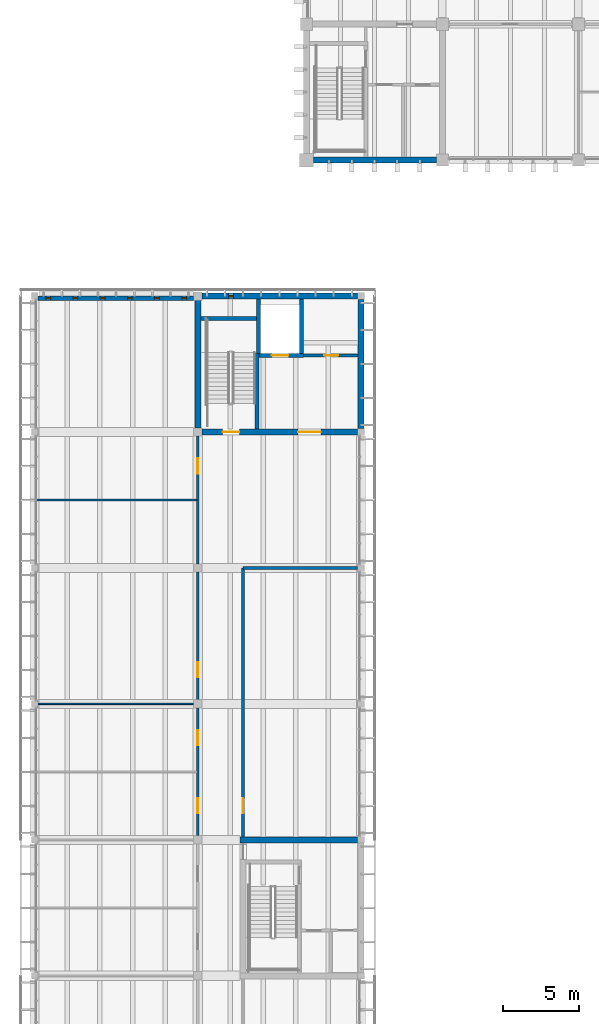
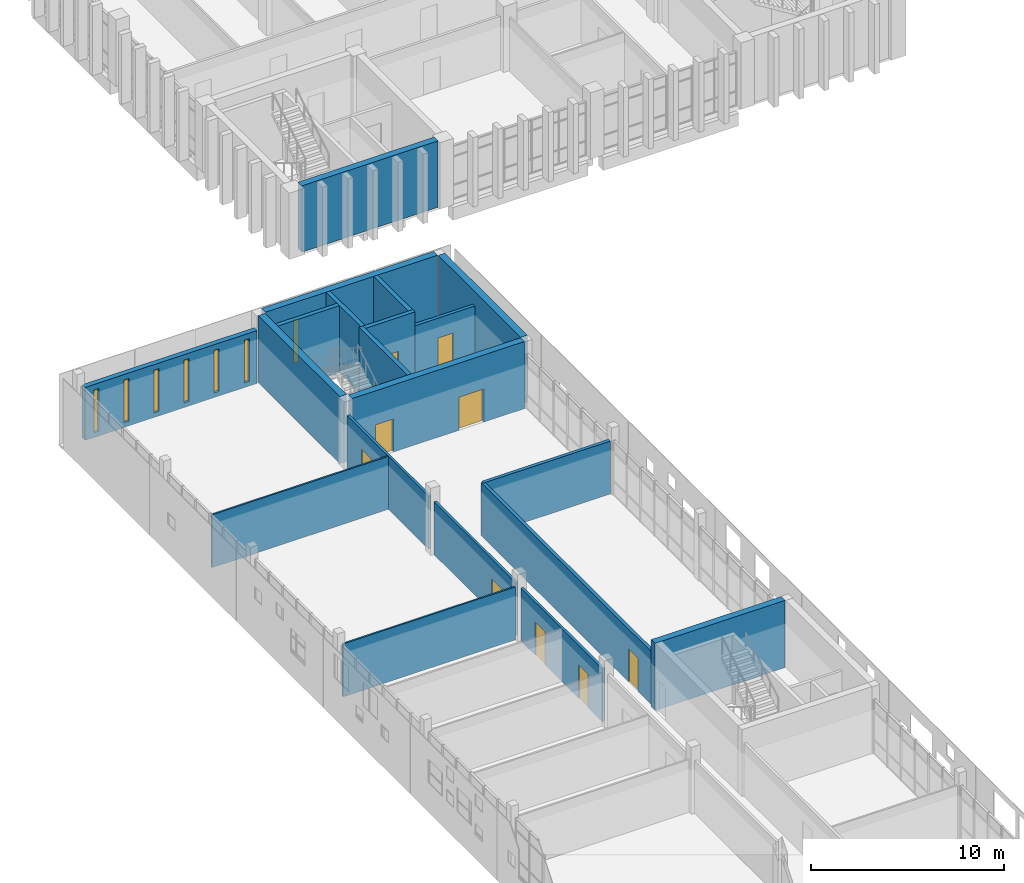
# One storey, part 33 of 50: 20 walls, 9 doors, 7 windows, 16 openings.
"""IFC4 building model written with IfcOpenShell, lengths in metres."""

from ifc_helpers import new_model, si_unit, direction, frame, frame_2d, origin, place, context, subcontext, project, spatial, rectangle, extrude, material, layer, layer_set, type_object, element, fill, save


model = new_model("IFC4")

# Units and contexts
model_context = context("Model", 3, precision=1e-05, world=origin(), true_north=direction((0.0, 1.0)))
body_context = subcontext(model_context, "Body", "Model", "MODEL_VIEW")
ifc_project = project(units=[si_unit("LENGTHUNIT", "METRE"), si_unit("AREAUNIT", "SQUARE_METRE"), si_unit("VOLUMEUNIT", "CUBIC_METRE"), si_unit("PLANEANGLEUNIT", "RADIAN"), si_unit("MASSUNIT", "GRAM", prefix="KILO")], contexts=[model_context])

# Site, building, storey
site_placement = place(None, origin())
site = spatial("IfcSite", under=ifc_project, at=site_placement, CompositionType="ELEMENT")
building_placement = place(site_placement, origin())
building = spatial("IfcBuilding", under=site, at=building_placement, Name="Merrow Basin Faculty of Sciences", CompositionType="ELEMENT")
storey_placement = place(building_placement, frame((0.0, 0.0, 18.0)))
storey = spatial("IfcBuildingStorey", under=building, at=storey_placement, Name="L04", CompositionType="ELEMENT", Elevation=18.0)

# Wall, openings, doors
ifc_material_1 = material(Name="Fire-rated gypsum board")
ifc_layer_1 = layer(ifc_material_1, 0.14990234375)
ifc_layer_set_1 = layer_set([ifc_layer_1], Name="Corridor partition 150 fire-rated board on steel studs")
wall_type_1 = type_object("IfcWallType", Name="Corridor partition 150 fire-rated board on steel studs", PredefinedType="PARTITIONING", material=ifc_layer_set_1)
wall_1_placement = place(storey_placement, frame((10.800048828125, 97.27490234375, 0.0), z_axis=(0.0, 0.0, 1.0), x_axis=(0.0, 1.0, 0.0)))
wall_1 = element("IfcWall", 1, at=wall_1_placement, inside=storey, type_object=wall_type_1, Name="IW151 L04 011", PredefinedType="PARTITIONING", context=body_context, shape_type="SweptSolid", body=[
    extrude(rectangle(XDim=8.4501953125, YDim=0.14990234375, at=frame_2d((4.22509765625, 0.0))), origin(), (0.0, 0.0, 1.0), 3.35009765625),
])
opening_1_placement = place(wall_1_placement, frame((1.47509765625, 0.0, 0.0)))
opening_1 = element("IfcOpeningElement", 2, at=opening_1_placement, cuts=wall_1, Name="Opening D04B018", PredefinedType="OPENING", context=body_context, shape_type="SweptSolid", body=[
    extrude(rectangle(XDim=1.0, YDim=2.10009765625, at=frame_2d((0.5, 1.050048828125))), frame((0.0, 0.0849609375, 0.0), z_axis=(0.0, -1.0, 0.0), x_axis=(1.0, 0.0, 0.0)), (0.0, 0.0, 1.0), 0.169921875),
])
opening_2_placement = place(wall_1_placement, frame((5.97509765625, 0.0, 0.0)))
opening_2 = element("IfcOpeningElement", 3, at=opening_2_placement, cuts=wall_1, Name="Opening D04B019", PredefinedType="OPENING", context=body_context, shape_type="SweptSolid", body=[
    extrude(rectangle(XDim=1.0, YDim=2.10009765625, at=frame_2d((0.5, 1.050048828125))), frame((0.0, 0.0849609375, 0.0), z_axis=(0.0, -1.0, 0.0), x_axis=(1.0, 0.0, 0.0)), (0.0, 0.0, 1.0), 0.169921875),
])
ifc_material_2 = material(Name="Timber door leaf", Category="wood")
door_type_1 = type_object("IfcDoorType", Name="Single swing door 1000 x 2100", OperationType="NOTDEFINED", PredefinedType="DOOR", material=ifc_material_2)
door_1_placement = place(opening_1_placement, origin())
door_1 = element("IfcDoor", 4, at=door_1_placement, inside=storey, type_object=door_type_1, Name="Door D04B018", OperationType="SINGLE_SWING_LEFT", OverallHeight=2.10009765625, OverallWidth=1.0, PredefinedType="DOOR", context=body_context, shape_type="SweptSolid", body=[
    extrude(rectangle(XDim=1.0, YDim=2.10009765625, at=frame_2d((0.5, 1.050048828125))), frame((0.0, 0.02490234375, 0.0), z_axis=(0.0, -1.0, 0.0), x_axis=(1.0, 0.0, 0.0)), (0.0, 0.0, 1.0), 0.050048828125),
])
fill(opening_1, door_1)
door_2_placement = place(opening_2_placement, origin())
door_2 = element("IfcDoor", 5, at=door_2_placement, inside=storey, type_object=door_type_1, Name="Door D04B019", OperationType="SINGLE_SWING_LEFT", OverallHeight=2.10009765625, OverallWidth=1.0, PredefinedType="DOOR", context=body_context, shape_type="SweptSolid", body=[
    extrude(rectangle(XDim=1.0, YDim=2.10009765625, at=frame_2d((0.5, 1.050048828125))), frame((0.0, 0.02490234375, 0.0), z_axis=(0.0, -1.0, 0.0), x_axis=(1.0, 0.0, 0.0)), (0.0, 0.0, 1.0), 0.050048828125),
])
fill(opening_2, door_2)

# Wall, opening, door
wall_2_placement = place(storey_placement, frame((10.800048828125, 106.27490234375, 0.0), z_axis=(0.0, 0.0, 1.0), x_axis=(0.0, 1.0, 0.0)))
wall_2 = element("IfcWall", 6, at=wall_2_placement, inside=storey, type_object=wall_type_1, Name="IW151 L04 012", PredefinedType="PARTITIONING", context=body_context, shape_type="SweptSolid", body=[
    extrude(rectangle(XDim=8.4501953125, YDim=0.14990234375, at=frame_2d((4.22509765625, 0.0))), origin(), (0.0, 0.0, 1.0), 3.35009765625),
])
opening_3_placement = place(wall_2_placement, frame((1.47509765625, 0.0, 0.0)))
opening_3 = element("IfcOpeningElement", 7, at=opening_3_placement, cuts=wall_2, Name="Opening D04B020", PredefinedType="OPENING", context=body_context, shape_type="SweptSolid", body=[
    extrude(rectangle(XDim=1.0, YDim=2.10009765625, at=frame_2d((0.5, 1.050048828125))), frame((0.0, 0.0849609375, 0.0), z_axis=(0.0, -1.0, 0.0), x_axis=(1.0, 0.0, 0.0)), (0.0, 0.0, 1.0), 0.169921875),
])
door_3_placement = place(opening_3_placement, origin())
door_3 = element("IfcDoor", 8, at=door_3_placement, inside=storey, type_object=door_type_1, Name="Door D04B020", OperationType="SINGLE_SWING_LEFT", OverallHeight=2.10009765625, OverallWidth=1.0, PredefinedType="DOOR", context=body_context, shape_type="SweptSolid", body=[
    extrude(rectangle(XDim=1.0, YDim=2.10009765625, at=frame_2d((0.5, 1.050048828125))), frame((0.0, 0.02490234375, 0.0), z_axis=(0.0, -1.0, 0.0), x_axis=(1.0, 0.0, 0.0)), (0.0, 0.0, 1.0), 0.050048828125),
])
fill(opening_3, door_3)

wall_3_placement = place(storey_placement, frame((10.800048828125, 115.27490234375, 0.0), z_axis=(0.0, 0.0, 1.0), x_axis=(0.0, 1.0, 0.0)))
wall_3 = element("IfcWall", 9, at=wall_3_placement, inside=storey, type_object=wall_type_1, Name="IW151 L04 013", PredefinedType="PARTITIONING", context=body_context, shape_type="SweptSolid", body=[
    extrude(rectangle(XDim=8.4501953125, YDim=0.14990234375, at=frame_2d((4.22509765625, 0.0))), origin(), (0.0, 0.0, 1.0), 3.35009765625),
])
opening_4_placement = place(wall_3_placement, frame((5.97509765625, 0.0, 0.0)))
opening_4 = element("IfcOpeningElement", 10, at=opening_4_placement, cuts=wall_3, Name="Opening D04B021", PredefinedType="OPENING", context=body_context, shape_type="SweptSolid", body=[
    extrude(rectangle(XDim=1.0, YDim=2.10009765625, at=frame_2d((0.5, 1.050048828125))), frame((0.0, 0.0849609375, 0.0), z_axis=(0.0, -1.0, 0.0), x_axis=(1.0, 0.0, 0.0)), (0.0, 0.0, 1.0), 0.169921875),
])
door_4_placement = place(opening_4_placement, origin())
door_4 = element("IfcDoor", 11, at=door_4_placement, inside=storey, type_object=door_type_1, Name="Door D04B021", OperationType="SINGLE_SWING_LEFT", OverallHeight=2.10009765625, OverallWidth=1.0, PredefinedType="DOOR", context=body_context, shape_type="SweptSolid", body=[
    extrude(rectangle(XDim=1.0, YDim=2.10009765625, at=frame_2d((0.5, 1.050048828125))), frame((0.0, 0.02490234375, 0.0), z_axis=(0.0, -1.0, 0.0), x_axis=(1.0, 0.0, 0.0)), (0.0, 0.0, 1.0), 0.050048828125),
])
fill(opening_4, door_4)

# Wall, openings, windows
ifc_material_3 = material(Name="Precast concrete C40/50", Category="concrete")
ifc_layer_2 = layer(ifc_material_3, 0.300048828125)
ifc_layer_set_2 = layer_set([ifc_layer_2], Name="End wall 300 Precast concrete C40/50")
wall_type_2 = type_object("IfcWallType", Name="End wall 300 Precast concrete C40/50", PredefinedType="STANDARD", material=ifc_layer_set_2)
wall_4_placement = place(storey_placement, frame((10.52490234375, 132.85009765625, 0.0), z_axis=(0.0, 0.0, 1.0), x_axis=(-1.0, 0.0, 0.0)))
wall_4 = element("IfcWall", 12, at=wall_4_placement, inside=storey, type_object=wall_type_2, Name="North end wall 1", PredefinedType="STANDARD", context=body_context, shape_type="SweptSolid", body=[
    extrude(rectangle(XDim=10.2998046875, YDim=0.300048828125, at=frame_2d((5.14990234375, 0.0))), origin(), (0.0, 0.0, 1.0), 3.35009765625),
])
opening_5_placement = place(wall_4_placement, frame((9.47509765625, 0.0, 0.300048828125)))
opening_5 = element("IfcOpeningElement", 13, at=opening_5_placement, cuts=wall_4, Name="Opening WN1", PredefinedType="OPENING", context=body_context, shape_type="SweptSolid", body=[
    extrude(rectangle(XDim=0.300048828125, YDim=2.699951171875, at=frame_2d((0.14990234375, 1.35009765625))), frame((0.0, 0.159912109375, 0.0), z_axis=(0.0, -1.0, 0.0), x_axis=(1.0, 0.0, 0.0)), (0.0, 0.0, 1.0), 0.320068359375),
])
opening_6_placement = place(wall_4_placement, frame((7.675048828125, 0.0, 0.300048828125)))
opening_6 = element("IfcOpeningElement", 14, at=opening_6_placement, cuts=wall_4, Name="Opening WN1", PredefinedType="OPENING", context=body_context, shape_type="SweptSolid", body=[
    extrude(rectangle(XDim=0.300048828125, YDim=2.699951171875, at=frame_2d((0.14990234375, 1.35009765625))), frame((0.0, 0.159912109375, 0.0), z_axis=(0.0, -1.0, 0.0), x_axis=(1.0, 0.0, 0.0)), (0.0, 0.0, 1.0), 0.320068359375),
])
opening_7_placement = place(wall_4_placement, frame((5.875, 0.0, 0.300048828125)))
opening_7 = element("IfcOpeningElement", 15, at=opening_7_placement, cuts=wall_4, Name="Opening WN1", PredefinedType="OPENING", context=body_context, shape_type="SweptSolid", body=[
    extrude(rectangle(XDim=0.300048828125, YDim=2.699951171875, at=frame_2d((0.14990234375, 1.35009765625))), frame((0.0, 0.159912109375, 0.0), z_axis=(0.0, -1.0, 0.0), x_axis=(1.0, 0.0, 0.0)), (0.0, 0.0, 1.0), 0.320068359375),
])
opening_8_placement = place(wall_4_placement, frame((4.074951171875, 0.0, 0.300048828125)))
opening_8 = element("IfcOpeningElement", 16, at=opening_8_placement, cuts=wall_4, Name="Opening WN1", PredefinedType="OPENING", context=body_context, shape_type="SweptSolid", body=[
    extrude(rectangle(XDim=0.300048828125, YDim=2.699951171875, at=frame_2d((0.14990234375, 1.35009765625))), frame((0.0, 0.159912109375, 0.0), z_axis=(0.0, -1.0, 0.0), x_axis=(1.0, 0.0, 0.0)), (0.0, 0.0, 1.0), 0.320068359375),
])
opening_9_placement = place(wall_4_placement, frame((2.27490234375, 0.0, 0.300048828125)))
opening_9 = element("IfcOpeningElement", 17, at=opening_9_placement, cuts=wall_4, Name="Opening WN1", PredefinedType="OPENING", context=body_context, shape_type="SweptSolid", body=[
    extrude(rectangle(XDim=0.300048828125, YDim=2.699951171875, at=frame_2d((0.14990234375, 1.35009765625))), frame((0.0, 0.159912109375, 0.0), z_axis=(0.0, -1.0, 0.0), x_axis=(1.0, 0.0, 0.0)), (0.0, 0.0, 1.0), 0.320068359375),
])
opening_10_placement = place(wall_4_placement, frame((0.47509765625, 0.0, 0.300048828125)))
opening_10 = element("IfcOpeningElement", 18, at=opening_10_placement, cuts=wall_4, Name="Opening WN1", PredefinedType="OPENING", context=body_context, shape_type="SweptSolid", body=[
    extrude(rectangle(XDim=0.300048828125, YDim=2.699951171875, at=frame_2d((0.14990234375, 1.35009765625))), frame((0.0, 0.159912109375, 0.0), z_axis=(0.0, -1.0, 0.0), x_axis=(1.0, 0.0, 0.0)), (0.0, 0.0, 1.0), 0.320068359375),
])
ifc_material_4 = material(Name="Low-E double glazing", Category="glass")
window_type = type_object("IfcWindowType", Name="Slot window 300 x 2700", PartitioningType="SINGLE_PANEL", PredefinedType="WINDOW", material=ifc_material_4)
window_1_placement = place(opening_5_placement, origin())
window_1 = element("IfcWindow", 19, at=window_1_placement, inside=storey, type_object=window_type, Name="North slot window L04", OverallHeight=2.699951171875, OverallWidth=0.300048828125, PartitioningType="SINGLE_PANEL", PredefinedType="WINDOW", context=body_context, shape_type="SweptSolid", body=[
    extrude(rectangle(XDim=0.300048828125, YDim=2.699951171875, at=frame_2d((0.14990234375, 1.35009765625))), frame((0.0, 0.030029296875, 0.0), z_axis=(0.0, -1.0, 0.0), x_axis=(1.0, 0.0, 0.0)), (0.0, 0.0, 1.0), 0.06005859375),
])
fill(opening_5, window_1)
window_2_placement = place(opening_6_placement, origin())
window_2 = element("IfcWindow", 20, at=window_2_placement, inside=storey, type_object=window_type, Name="North slot window L04", OverallHeight=2.699951171875, OverallWidth=0.300048828125, PartitioningType="SINGLE_PANEL", PredefinedType="WINDOW", context=body_context, shape_type="SweptSolid", body=[
    extrude(rectangle(XDim=0.300048828125, YDim=2.699951171875, at=frame_2d((0.14990234375, 1.35009765625))), frame((0.0, 0.030029296875, 0.0), z_axis=(0.0, -1.0, 0.0), x_axis=(1.0, 0.0, 0.0)), (0.0, 0.0, 1.0), 0.06005859375),
])
fill(opening_6, window_2)
window_3_placement = place(opening_7_placement, origin())
window_3 = element("IfcWindow", 21, at=window_3_placement, inside=storey, type_object=window_type, Name="North slot window L04", OverallHeight=2.699951171875, OverallWidth=0.300048828125, PartitioningType="SINGLE_PANEL", PredefinedType="WINDOW", context=body_context, shape_type="SweptSolid", body=[
    extrude(rectangle(XDim=0.300048828125, YDim=2.699951171875, at=frame_2d((0.14990234375, 1.35009765625))), frame((0.0, 0.030029296875, 0.0), z_axis=(0.0, -1.0, 0.0), x_axis=(1.0, 0.0, 0.0)), (0.0, 0.0, 1.0), 0.06005859375),
])
fill(opening_7, window_3)
window_4_placement = place(opening_8_placement, origin())
window_4 = element("IfcWindow", 22, at=window_4_placement, inside=storey, type_object=window_type, Name="North slot window L04", OverallHeight=2.699951171875, OverallWidth=0.300048828125, PartitioningType="SINGLE_PANEL", PredefinedType="WINDOW", context=body_context, shape_type="SweptSolid", body=[
    extrude(rectangle(XDim=0.300048828125, YDim=2.699951171875, at=frame_2d((0.14990234375, 1.35009765625))), frame((0.0, 0.030029296875, 0.0), z_axis=(0.0, -1.0, 0.0), x_axis=(1.0, 0.0, 0.0)), (0.0, 0.0, 1.0), 0.06005859375),
])
fill(opening_8, window_4)
window_5_placement = place(opening_9_placement, origin())
window_5 = element("IfcWindow", 23, at=window_5_placement, inside=storey, type_object=window_type, Name="North slot window L04", OverallHeight=2.699951171875, OverallWidth=0.300048828125, PartitioningType="SINGLE_PANEL", PredefinedType="WINDOW", context=body_context, shape_type="SweptSolid", body=[
    extrude(rectangle(XDim=0.300048828125, YDim=2.699951171875, at=frame_2d((0.14990234375, 1.35009765625))), frame((0.0, 0.030029296875, 0.0), z_axis=(0.0, -1.0, 0.0), x_axis=(1.0, 0.0, 0.0)), (0.0, 0.0, 1.0), 0.06005859375),
])
fill(opening_9, window_5)
window_6_placement = place(opening_10_placement, origin())
window_6 = element("IfcWindow", 24, at=window_6_placement, inside=storey, type_object=window_type, Name="North slot window L04", OverallHeight=2.699951171875, OverallWidth=0.300048828125, PartitioningType="SINGLE_PANEL", PredefinedType="WINDOW", context=body_context, shape_type="SweptSolid", body=[
    extrude(rectangle(XDim=0.300048828125, YDim=2.699951171875, at=frame_2d((0.14990234375, 1.35009765625))), frame((0.0, 0.030029296875, 0.0), z_axis=(0.0, -1.0, 0.0), x_axis=(1.0, 0.0, 0.0)), (0.0, 0.0, 1.0), 0.06005859375),
])
fill(opening_10, window_6)

# Walls
ifc_material_5 = material(Name="Gypsum board")
ifc_layer_3 = layer(ifc_material_5, 0.10009765625)
ifc_layer_set_3 = layer_set([ifc_layer_3], Name="Partition 100 gypsum board on steel studs")
wall_type_3 = type_object("IfcWallType", Name="Partition 100 gypsum board on steel studs", PredefinedType="PARTITIONING", material=ifc_layer_set_3)
wall_5_placement = place(storey_placement, frame((0.22509765625, 106.0, 0.0), z_axis=(0.0, 0.0, 1.0), x_axis=(1.0, 0.0, 0.0)))
element("IfcWall", 25, at=wall_5_placement, inside=storey, type_object=wall_type_3, Name="IW100 L04 026", PredefinedType="PARTITIONING", context=body_context, shape_type="SweptSolid", body=[
    extrude(rectangle(XDim=10.2998046875, YDim=0.10009765625, at=frame_2d((5.14990234375, 0.0))), origin(), (0.0, 0.0, 1.0), 3.35009765625),
])
wall_6_placement = place(storey_placement, frame((0.179931640625, 119.5, 0.0), z_axis=(0.0, 0.0, 1.0), x_axis=(1.0, 0.0, 0.0)))
element("IfcWall", 26, at=wall_6_placement, inside=storey, type_object=wall_type_3, Name="IW100 L04 027", PredefinedType="PARTITIONING", context=body_context, shape_type="SweptSolid", body=[
    extrude(rectangle(XDim=10.545166015625, YDim=0.10009765625, at=frame_2d((5.2724609375, 0.0))), origin(), (0.0, 0.0, 1.0), 3.35009765625),
])

# Wall, opening, door
ifc_material_6 = material(Name="Fire-rated gypsum board")
ifc_layer_4 = layer(ifc_material_6, 0.199951171875)
ifc_layer_set_4 = layer_set([ifc_layer_4], Name="Plant partition 200 fire-rated board on steel studs")
wall_type_4 = type_object("IfcWallType", Name="Plant partition 200 fire-rated board on steel studs", PredefinedType="PARTITIONING", material=ifc_layer_set_4)
wall_7_placement = place(storey_placement, frame((13.800048828125, 97.199951171875, 0.0), z_axis=(0.0, 0.0, 1.0), x_axis=(0.0, 1.0, 0.0)))
wall_7 = element("IfcWall", 27, at=wall_7_placement, inside=storey, type_object=wall_type_4, Name="IW201 L04 006", PredefinedType="PARTITIONING", context=body_context, shape_type="SweptSolid", body=[
    extrude(rectangle(XDim=17.800048828125, YDim=0.199951171875, at=frame_2d((8.89990234375, 0.0))), origin(), (0.0, 0.0, 1.0), 3.35009765625),
])
opening_11_placement = place(wall_7_placement, frame((1.550048828125, 0.0, 0.0)))
opening_11 = element("IfcOpeningElement", 28, at=opening_11_placement, cuts=wall_7, Name="Opening D04B024", PredefinedType="OPENING", context=body_context, shape_type="SweptSolid", body=[
    extrude(rectangle(XDim=1.0, YDim=2.10009765625, at=frame_2d((0.5, 1.050048828125))), frame((0.0, 0.10986328125, 0.0), z_axis=(0.0, -1.0, 0.0), x_axis=(1.0, 0.0, 0.0)), (0.0, 0.0, 1.0), 0.219970703125),
])
ifc_material_7 = material(Name="Fire-rated steel door", Category="steel")
door_type_2 = type_object("IfcDoorType", Name="Fire door FD60 1000 x 2100", OperationType="NOTDEFINED", PredefinedType="DOOR", material=ifc_material_7)
door_5_placement = place(opening_11_placement, origin())
door_5 = element("IfcDoor", 29, at=door_5_placement, inside=storey, type_object=door_type_2, Name="Door D04B024", OperationType="SINGLE_SWING_LEFT", OverallHeight=2.10009765625, OverallWidth=1.0, PredefinedType="DOOR", context=body_context, shape_type="SweptSolid", body=[
    extrude(rectangle(XDim=1.0, YDim=2.10009765625, at=frame_2d((0.5, 1.050048828125))), frame((0.0, 0.02490234375, 0.0), z_axis=(0.0, -1.0, 0.0), x_axis=(1.0, 0.0, 0.0)), (0.0, 0.0, 1.0), 0.050048828125),
])
fill(opening_11, door_5)

# Wall
wall_8_placement = place(storey_placement, frame((13.800048828125, 115.0, 0.0), z_axis=(0.0, 0.0, 1.0), x_axis=(1.0, 0.0, 0.0)))
element("IfcWall", 30, at=wall_8_placement, inside=storey, type_object=wall_type_4, Name="IW201 L04 007", PredefinedType="PARTITIONING", context=body_context, shape_type="SweptSolid", body=[
    extrude(rectangle(XDim=7.574951171875, YDim=0.199951171875, at=frame_2d((3.78759765625, 0.0))), origin(), (0.0, 0.0, 1.0), 3.35009765625),
])

# Wall, opening, door
ifc_material_8 = material(Name="Fire-rated gypsum board")
ifc_layer_5 = layer(ifc_material_8, 0.199951171875)
ifc_layer_set_5 = layer_set([ifc_layer_5], Name="Riser lining 200 fire-rated board on steel studs")
wall_type_5 = type_object("IfcWallType", Name="Riser lining 200 fire-rated board on steel studs", PredefinedType="PARTITIONING", material=ifc_layer_set_5)
wall_9_placement = place(storey_placement, frame((17.800048828125, 129.074951171875, 0.0), z_axis=(0.0, 0.0, 1.0), x_axis=(1.0, 0.0, 0.0)))
wall_9 = element("IfcWall", 31, at=wall_9_placement, inside=storey, type_object=wall_type_5, Name="IW200 L04 005", PredefinedType="PARTITIONING", context=body_context, shape_type="SweptSolid", body=[
    extrude(rectangle(XDim=3.599853515625, YDim=0.199951171875, at=frame_2d((1.7998046875, 0.0))), origin(), (0.0, 0.0, 1.0), 3.35009765625),
])
opening_12_placement = place(wall_9_placement, frame((1.387939453125, 0.0, 0.0)))
opening_12 = element("IfcOpeningElement", 32, at=opening_12_placement, cuts=wall_9, Name="Opening D04B011", PredefinedType="OPENING", context=body_context, shape_type="SweptSolid", body=[
    extrude(rectangle(XDim=0.89990234375, YDim=2.10009765625, at=frame_2d((0.449951171875, 1.050048828125))), frame((0.0, 0.10986328125, 0.0), z_axis=(0.0, -1.0, 0.0), x_axis=(1.0, 0.0, 0.0)), (0.0, 0.0, 1.0), 0.219970703125),
])
ifc_material_9 = material(Name="Fire-rated steel door", Category="steel")
door_type_3 = type_object("IfcDoorType", Name="Fire door FD60 900 x 2100", OperationType="NOTDEFINED", PredefinedType="DOOR", material=ifc_material_9)
door_6_placement = place(opening_12_placement, origin())
door_6 = element("IfcDoor", 33, at=door_6_placement, inside=storey, type_object=door_type_3, Name="Door D04B011", OperationType="SINGLE_SWING_RIGHT", OverallHeight=2.10009765625, OverallWidth=0.89990234375, PredefinedType="DOOR", context=body_context, shape_type="SweptSolid", body=[
    extrude(rectangle(XDim=0.89990234375, YDim=2.10009765625, at=frame_2d((0.449951171875, 1.050048828125))), frame((0.0, 0.02490234375, 0.0), z_axis=(0.0, -1.0, 0.0), x_axis=(1.0, 0.0, 0.0)), (0.0, 0.0, 1.0), 0.050048828125),
])
fill(opening_12, door_6)

# Walls
ifc_material_10 = material(Name="Concrete C40/50", Category="concrete")
ifc_layer_6 = layer(ifc_material_10, 0.25)
ifc_layer_set_6 = layer_set([ifc_layer_6], Name="Shear wall 250 Concrete C40/50")
wall_type_6 = type_object("IfcWallType", Name="Shear wall 250 Concrete C40/50", PredefinedType="SHEAR", material=ifc_layer_set_6)
wall_10_placement = place(storey_placement, frame((11.0, 131.52490234375, 0.0), z_axis=(0.0, 0.0, 1.0), x_axis=(1.0, 0.0, 0.0)))
element("IfcWall", 34, at=wall_10_placement, inside=storey, type_object=wall_type_6, Name="SW2 L04 019", PredefinedType="SHEAR", context=body_context, shape_type="SweptSolid", body=[
    extrude(rectangle(XDim=3.85009765625, YDim=0.25, at=frame_2d((1.925048828125, 0.0))), origin(), (0.0, 0.0, 1.0), 4.25),
])
wall_11_placement = place(storey_placement, frame((14.72509765625, 124.199951171875, 0.0), z_axis=(0.0, 0.0, 1.0), x_axis=(0.0, 1.0, 0.0)))
element("IfcWall", 35, at=wall_11_placement, inside=storey, type_object=wall_type_6, Name="SW2 L04 020", PredefinedType="SHEAR", context=body_context, shape_type="SweptSolid", body=[
    extrude(rectangle(XDim=5.0, YDim=0.25, at=frame_2d((2.5, 0.0))), origin(), (0.0, 0.0, 1.0), 4.25),
])

# Wall, opening, door
wall_12_placement = place(storey_placement, frame((14.85009765625, 129.074951171875, 0.0), z_axis=(0.0, 0.0, 1.0), x_axis=(1.0, 0.0, 0.0)))
wall_12 = element("IfcWall", 36, at=wall_12_placement, inside=storey, type_object=wall_type_6, Name="SW2 L04 021", PredefinedType="SHEAR", context=body_context, shape_type="SweptSolid", body=[
    extrude(rectangle(XDim=2.949951171875, YDim=0.25, at=frame_2d((1.47509765625, 0.0))), origin(), (0.0, 0.0, 1.0), 4.25),
])
opening_13_placement = place(wall_12_placement, frame((0.85009765625, 0.0, 0.0)))
opening_13 = element("IfcOpeningElement", 37, at=opening_13_placement, cuts=wall_12, Name="Opening LD04B02", PredefinedType="OPENING", context=body_context, shape_type="SweptSolid", body=[
    extrude(rectangle(XDim=1.10009765625, YDim=2.10009765625, at=frame_2d((0.550048828125, 1.050048828125))), frame((0.0, 0.135009765625, 0.0), z_axis=(0.0, -1.0, 0.0), x_axis=(1.0, 0.0, 0.0)), (0.0, 0.0, 1.0), 0.27001953125),
])
ifc_material_11 = material(Name="Stainless steel sliding door", Category="steel")
door_type_4 = type_object("IfcDoorType", Name="Lift landing door 1100 x 2100 sliding", OperationType="NOTDEFINED", PredefinedType="DOOR", material=ifc_material_11)
door_7_placement = place(opening_13_placement, origin())
door_7 = element("IfcDoor", 38, at=door_7_placement, inside=storey, type_object=door_type_4, Name="Landing door LF2 L04", OperationType="SLIDING_TO_LEFT", OverallHeight=2.10009765625, OverallWidth=1.10009765625, PredefinedType="DOOR", context=body_context, shape_type="SweptSolid", body=[
    extrude(rectangle(XDim=1.10009765625, YDim=2.10009765625, at=frame_2d((0.550048828125, 1.050048828125))), frame((0.0, 0.02490234375, 0.0), z_axis=(0.0, -1.0, 0.0), x_axis=(1.0, 0.0, 0.0)), (0.0, 0.0, 1.0), 0.050048828125),
])
fill(opening_13, door_7)

# Walls
for number, where, z_axis, x_axis, name in (
    (39, (14.824951171875, 129.199951171875, 0.0), (0.0, 0.0, 1.0), (0.0, 1.0, 0.0), "SW2 L04 022"),
    (40, (17.675048828125, 129.199951171875, 0.0), (0.0, 0.0, 1.0), (0.0, 1.0, 0.0), "SW2 L04 023"),
):
    element("IfcWall", number, at=place(storey_placement, frame(where, z_axis=z_axis, x_axis=x_axis)), inside=storey, type_object=wall_type_6, Name=name, PredefinedType="SHEAR", context=body_context, shape_type="SweptSolid", body=[
        extrude(rectangle(XDim=3.60009765625, YDim=0.25, at=frame_2d((1.800048828125, 0.0))), origin(), (0.0, 0.0, 1.0), 4.25),
    ])
ifc_material_12 = material(Name="Concrete C40/50", Category="concrete")
ifc_layer_7 = layer(ifc_material_12, 0.39990234375)
ifc_layer_set_7 = layer_set([ifc_layer_7], Name="Shear wall 400 Concrete C40/50")
wall_type_7 = type_object("IfcWallType", Name="Shear wall 400 Concrete C40/50", PredefinedType="SHEAR", material=ifc_layer_set_7)
wall_13_placement = place(storey_placement, frame((13.60009765625, 97.0, 0.0), z_axis=(0.0, 0.0, 1.0), x_axis=(1.0, 0.0, 0.0)))
element("IfcWall", 41, at=wall_13_placement, inside=storey, type_object=wall_type_7, Name="SW1 L04 010", PredefinedType="SHEAR", context=body_context, shape_type="SweptSolid", body=[
    extrude(rectangle(XDim=7.77490234375, YDim=0.39990234375, at=frame_2d((3.887451171875, 0.0))), origin(), (0.0, 0.0, 1.0), 4.25),
])

# Wall, openings, doors
wall_14_placement = place(storey_placement, frame((11.074951171875, 124.0, 0.0), z_axis=(0.0, 0.0, 1.0), x_axis=(1.0, 0.0, 0.0)))
wall_14 = element("IfcWall", 42, at=wall_14_placement, inside=storey, type_object=wall_type_7, Name="SW1 L04 015", PredefinedType="SHEAR", context=body_context, shape_type="SweptSolid", body=[
    extrude(rectangle(XDim=10.300048828125, YDim=0.39990234375, at=frame_2d((5.14990234375, 0.0))), origin(), (0.0, 0.0, 1.0), 4.25),
])
opening_14_placement = place(wall_14_placement, frame((1.375, 0.0, 0.0)))
opening_14 = element("IfcOpeningElement", 43, at=opening_14_placement, cuts=wall_14, Name="Opening D04B009", PredefinedType="OPENING", context=body_context, shape_type="SweptSolid", body=[
    extrude(rectangle(XDim=1.10009765625, YDim=2.10009765625, at=frame_2d((0.550048828125, 1.050048828125))), frame((0.0, 0.2099609375, 0.0), z_axis=(0.0, -1.0, 0.0), x_axis=(1.0, 0.0, 0.0)), (0.0, 0.0, 1.0), 0.419921875),
])
opening_15_placement = place(wall_14_placement, frame((6.375, 0.0, 0.0)))
opening_15 = element("IfcOpeningElement", 44, at=opening_15_placement, cuts=wall_14, Name="Opening D04B010", PredefinedType="OPENING", context=body_context, shape_type="SweptSolid", body=[
    extrude(rectangle(XDim=1.5, YDim=2.10009765625, at=frame_2d((0.75, 1.050048828125))), frame((0.0, 0.2099609375, 0.0), z_axis=(0.0, -1.0, 0.0), x_axis=(1.0, 0.0, 0.0)), (0.0, 0.0, 1.0), 0.419921875),
])
ifc_material_13 = material(Name="Fire-rated steel door", Category="steel")
door_type_5 = type_object("IfcDoorType", Name="Fire door FD60 1500 x 2100", OperationType="NOTDEFINED", PredefinedType="DOOR", material=ifc_material_13)
door_8_placement = place(opening_15_placement, origin())
door_8 = element("IfcDoor", 45, at=door_8_placement, inside=storey, type_object=door_type_5, Name="Door D04B010", OperationType="DOUBLE_DOOR_SINGLE_SWING", OverallHeight=2.10009765625, OverallWidth=1.5, PredefinedType="DOOR", context=body_context, shape_type="SweptSolid", body=[
    extrude(rectangle(XDim=1.5, YDim=2.10009765625, at=frame_2d((0.75, 1.050048828125))), frame((0.0, 0.02490234375, 0.0), z_axis=(0.0, -1.0, 0.0), x_axis=(1.0, 0.0, 0.0)), (0.0, 0.0, 1.0), 0.050048828125),
])
fill(opening_15, door_8)
ifc_material_14 = material(Name="Fire-rated steel door", Category="steel")
door_type_6 = type_object("IfcDoorType", Name="Fire door FD90 1100 x 2100", OperationType="NOTDEFINED", PredefinedType="DOOR", material=ifc_material_14)
door_9_placement = place(opening_14_placement, origin())
door_9 = element("IfcDoor", 46, at=door_9_placement, inside=storey, type_object=door_type_6, Name="Door D04B009", OperationType="SINGLE_SWING_LEFT", OverallHeight=2.10009765625, OverallWidth=1.10009765625, PredefinedType="DOOR", context=body_context, shape_type="SweptSolid", body=[
    extrude(rectangle(XDim=1.10009765625, YDim=2.10009765625, at=frame_2d((0.550048828125, 1.050048828125))), frame((0.0, 0.02490234375, 0.0), z_axis=(0.0, -1.0, 0.0), x_axis=(1.0, 0.0, 0.0)), (0.0, 0.0, 1.0), 0.050048828125),
])
fill(opening_14, door_9)

# Wall, opening, window
wall_15_placement = place(storey_placement, frame((11.074951171875, 133.0, 0.0), z_axis=(0.0, 0.0, 1.0), x_axis=(1.0, 0.0, 0.0)))
wall_15 = element("IfcWall", 47, at=wall_15_placement, inside=storey, type_object=wall_type_7, Name="SW1 L04 016", PredefinedType="SHEAR", context=body_context, shape_type="SweptSolid", body=[
    extrude(rectangle(XDim=10.300048828125, YDim=0.39990234375, at=frame_2d((5.14990234375, 0.0))), origin(), (0.0, 0.0, 1.0), 4.25),
])
opening_16_placement = place(wall_15_placement, frame((1.77490234375, 0.0, 0.300048828125)))
opening_16 = element("IfcOpeningElement", 48, at=opening_16_placement, cuts=wall_15, Name="Opening WN1", PredefinedType="OPENING", context=body_context, shape_type="SweptSolid", body=[
    extrude(rectangle(XDim=0.300048828125, YDim=2.699951171875, at=frame_2d((0.14990234375, 1.35009765625))), frame((0.0, 0.2099609375, 0.0), z_axis=(0.0, -1.0, 0.0), x_axis=(1.0, 0.0, 0.0)), (0.0, 0.0, 1.0), 0.419921875),
])
window_7_placement = place(opening_16_placement, origin())
window_7 = element("IfcWindow", 49, at=window_7_placement, inside=storey, type_object=window_type, Name="Stair slot window C-V4-N L04", OverallHeight=2.699951171875, OverallWidth=0.300048828125, PartitioningType="SINGLE_PANEL", PredefinedType="WINDOW", context=body_context, shape_type="SweptSolid", body=[
    extrude(rectangle(XDim=0.300048828125, YDim=2.699951171875, at=frame_2d((0.14990234375, 1.35009765625))), frame((0.0, 0.030029296875, 0.0), z_axis=(0.0, -1.0, 0.0), x_axis=(1.0, 0.0, 0.0)), (0.0, 0.0, 1.0), 0.06005859375),
])
fill(opening_16, window_7)

# Walls
wall_16_placement = place(storey_placement, frame((10.800048828125, 124.27490234375, 0.0), z_axis=(0.0, 0.0, 1.0), x_axis=(0.0, 1.0, 0.0)))
element("IfcWall", 50, at=wall_16_placement, inside=storey, type_object=wall_type_7, Name="SW1 L04 017", PredefinedType="SHEAR", context=body_context, shape_type="SweptSolid", body=[
    extrude(rectangle(XDim=8.4501953125, YDim=0.39990234375, at=frame_2d((4.22509765625, 0.0))), origin(), (0.0, 0.0, 1.0), 4.25),
])
wall_17_placement = place(storey_placement, frame((21.60009765625, 124.22509765625, 0.0), z_axis=(0.0, 0.0, 1.0), x_axis=(0.0, 1.0, 0.0)))
element("IfcWall", 51, at=wall_17_placement, inside=storey, type_object=wall_type_7, Name="SW1 L04 018", PredefinedType="SHEAR", context=body_context, shape_type="SweptSolid", body=[
    extrude(rectangle(XDim=8.5498046875, YDim=0.39990234375, at=frame_2d((4.27490234375, 0.0))), origin(), (0.0, 0.0, 1.0), 4.25),
])
wall_18_placement = place(storey_placement, frame((18.449951171875, 142.0, 0.0), z_axis=(0.0, 0.0, 1.0), x_axis=(1.0, 0.0, 0.0)))
element("IfcWall", 52, at=wall_18_placement, inside=storey, type_object=wall_type_7, Name="SW1 L04 025", PredefinedType="SHEAR", context=body_context, shape_type="SweptSolid", body=[
    extrude(rectangle(XDim=8.150146484375, YDim=0.39990234375, at=frame_2d((4.0751953125, 0.0))), origin(), (0.0, 0.0, 1.0), 4.199951171875),
])

save(model, "model.ifc")
